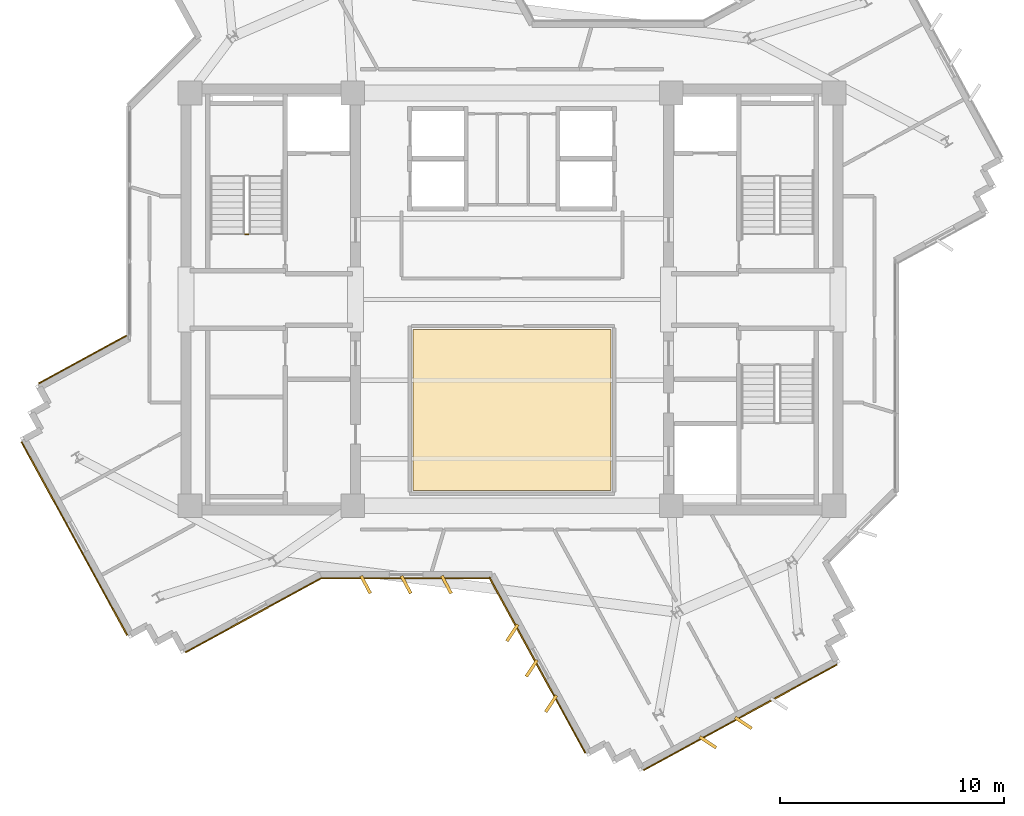
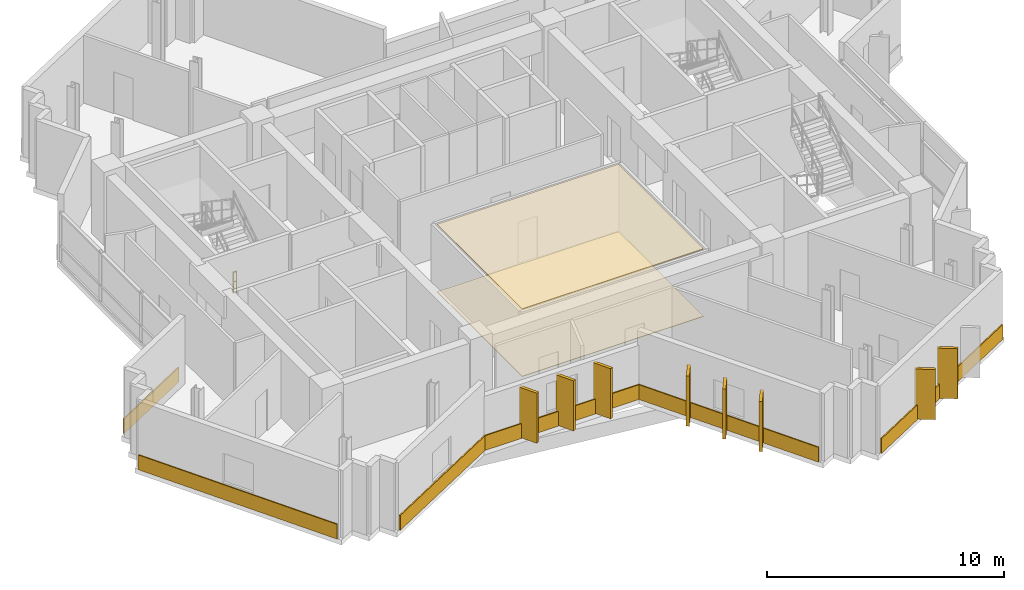
# One storey, part 10 of 13: 16 coverings, 1 railing.
"""IFC4 building model written with IfcOpenShell, lengths in metres."""

from ifc_helpers import new_model, si_unit, direction, frame, origin, origin_2d, place, context, subcontext, project, spatial, polyline, rectangle, outline, extrude, source, transform, mapped, material, layer, layer_set, type_object, element, save


model = new_model("IFC4")

# Units and contexts
model_context = context("Model", 3, precision=1e-05, world=origin(), true_north=direction((0.0, 1.0)))
body_context = subcontext(model_context, "Body", "Model", "MODEL_VIEW")
ifc_project = project(units=[si_unit("LENGTHUNIT", "METRE"), si_unit("AREAUNIT", "SQUARE_METRE"), si_unit("VOLUMEUNIT", "CUBIC_METRE"), si_unit("PLANEANGLEUNIT", "RADIAN"), si_unit("MASSUNIT", "GRAM", prefix="KILO")], contexts=[model_context])

# Site, building, storey
site_placement = place(None, origin())
site = spatial("IfcSite", under=ifc_project, at=site_placement, CompositionType="ELEMENT")
building_placement = place(site_placement, origin())
building = spatial("IfcBuilding", under=site, at=building_placement, Name="Zahravan Cultural Tower", CompositionType="ELEMENT")
storey_placement = place(building_placement, frame((0.0, 0.0, 257.85009765625)))
storey = spatial("IfcBuildingStorey", under=building, at=storey_placement, Name="L61", CompositionType="ELEMENT", Elevation=257.85009765625)

# Coverings
ifc_material_1 = material(Name="Acoustic mineral fibreboard")
ifc_layer_1 = layer(ifc_material_1, 0.0400390625)
ifc_layer_set_1 = layer_set([ifc_layer_1], Name="Acoustic mineral fibreboard")
covering_type_1 = type_object("IfcCoveringType", Name="COV-CEIL-AC20", PredefinedType="CEILING", material=ifc_layer_set_1)
covering_1_placement = place(storey_placement, frame((0.0, 0.0, 3.4599609375)))
element("IfcCovering", 1, at=covering_1_placement, inside=storey, type_object=covering_type_1, Name="L61 Acoustic Suspended Ceiling", PredefinedType="CEILING", context=body_context, shape_type="SweptSolid", body=[
    extrude(outline(polyline([(40.419921875, 25.669921875), (31.580078125, 25.669921875), (31.580078125, 18.47998046875), (40.419921875, 18.47998046875), (40.419921875, 25.669921875)])), origin(), (0.0, 0.0, 1.0), 0.0400390625),
])
ifc_material_2 = material(Name="Terrazzo flooring")
ifc_layer_2 = layer(ifc_material_2, 0.02490234375)
ifc_layer_set_2 = layer_set([ifc_layer_2], Name="Terrazzo flooring")
covering_type_2 = type_object("IfcCoveringType", Name="COV-FLR-TZ25", PredefinedType="FLOORING", material=ifc_layer_set_2)
covering_2_placement = place(storey_placement, origin())
element("IfcCovering", 2, at=covering_2_placement, inside=storey, type_object=covering_type_2, Name="L61 Polished Terrazzo Flooring", PredefinedType="FLOORING", context=body_context, shape_type="SweptSolid", body=[
    extrude(outline(polyline([(40.419921875, 25.669921875), (31.580078125, 25.669921875), (31.580078125, 18.47998046875), (40.419921875, 18.47998046875), (40.419921875, 25.669921875)])), origin(), (0.0, 0.0, 1.0), 0.02490234375),
])

# Railing
ifc_material_3 = material(Name="Steel ASTM A572 Grade 50", Category="steel")
railing_type = type_object("IfcRailingType", Name="RL-STAIR-GRD1150", PredefinedType="BALUSTRADE", material=ifc_material_3)
railing_placement = place(storey_placement, frame((24.25, 29.89990234375, 0.0)))
element("IfcRailing", 3, at=railing_placement, inside=storey, type_object=railing_type, Name="L61 ST-W1 stair guard 4", PredefinedType="BALUSTRADE", context=body_context, shape_type="SweptSolid", body=[
    extrude(rectangle(XDim=0.05, YDim=0.05, at=origin_2d()), frame((0.0, 0.0, 1.0751953125), z_axis=(-1.0, 0.0, 0.0), x_axis=(0.0, -1.0, 0.0)), (0.0, 0.0, 1.0), 0.14990234375),
    extrude(rectangle(XDim=0.032, YDim=0.032, at=origin_2d()), frame((0.0, 0.0, 0.572021484375), z_axis=(-1.0, 0.0, 0.0), x_axis=(0.0, -1.0, 0.0)), (0.0, 0.0, 1.0), 0.14990234375),
    extrude(rectangle(XDim=0.04, YDim=0.04, at=origin_2d()), origin(), (0.0, 0.0, 1.0), 1.10009765625),
    extrude(rectangle(XDim=0.04, YDim=0.04, at=origin_2d()), frame((-0.14990234375, 0.0, 0.0)), (0.0, 0.0, 1.0), 1.10009765625),
])

# Coverings
ifc_material_4 = material(Name="Terracotta ceramic cladding", Category="masonry")
ifc_layer_3 = layer(ifc_material_4, 0.06005859375)
ifc_layer_set_3 = layer_set([ifc_layer_3], Name="Terracotta ceramic cladding")
covering_type_3 = type_object("IfcCoveringType", Name="COV-CLAD-TC60", PredefinedType="CLADDING", material=ifc_layer_set_3)
shared_shape_1 = source(origin(), body_context, "Body", "SweptSolid", [
    extrude(rectangle(XDim=9.820068359375, YDim=0.06005859375, at=origin_2d()), origin(), (0.0, 0.0, 1.0), 0.760009765625),
])
for number, where, z_axis, x_axis, name in (
    (4, (46.176513671875, 8.373779296875, 0.02001953125), (0.0, 0.0, 1.0), (-0.877564903719, -0.479457860256, 0.0), "L61 Terracotta Spandrel Cladding 18"),
    (5, (16.49609375, 16.343994140625, 0.02001953125), (0.0, 0.0, 1.0), (-0.479457860256, 0.877564903719, 0.0), "L61 Terracotta Spandrel Cladding 30"),
):
    element("IfcCovering", number, at=place(storey_placement, frame(where, z_axis=z_axis, x_axis=x_axis)), inside=storey, type_object=covering_type_3, Name=name, PredefinedType="CLADDING", context=body_context, shape_type="MappedRepresentation", body=[
        mapped(shared_shape_1, transform((0.0, 0.0, 0.0), x_axis=(1.0, 0.0, 0.0), y_axis=(0.0, 1.0, 0.0), z_axis=(0.0, 0.0, 1.0), scale=1.0)),
    ])
shared_shape_2 = source(origin(), body_context, "Body", "SweptSolid", [
    extrude(rectangle(XDim=0.8798828125, YDim=0.139892578125, at=origin_2d()), origin(), (0.0, 0.0, 1.0), 2.580078125),
])
for number, where, z_axis, x_axis, name in (
    (6, (46.31298828125, 8.12353515625, 0.0498046875), (0.0, 0.0, 1.0), (0.835327930385, -0.549751988372, 0.0), "L61 Herringbone Terracotta Fin 10"),
    (7, (44.7333984375, 7.260498046875, 0.0498046875), (0.0, 0.0, 1.0), (0.835327930385, -0.549751988372, 0.0), "L61 Herringbone Terracotta Fin 11"),
    (8, (37.741455078125, 8.983154296875, 0.0498046875), (0.0, 0.0, 1.0), (-0.549751988372, -0.835327930385, 0.0), "L61 Herringbone Terracotta Fin 12"),
    (9, (36.87841796875, 10.562744140625, 0.0498046875), (0.0, 0.0, 1.0), (-0.549751988372, -0.835327930385, 0.0), "L61 Herringbone Terracotta Fin 13"),
    (10, (36.015380859375, 12.142578125, 0.0498046875), (0.0, 0.0, 1.0), (-0.549751988372, -0.835327930385, 0.0), "L61 Herringbone Terracotta Fin 14"),
    (11, (33.079833984375, 14.2900390625, 0.0498046875), (0.0, 0.0, 1.0), (0.469471562786, -0.882947592859, 0.0), "L61 Herringbone Terracotta Fin 15"),
    (12, (31.27978515625, 14.2900390625, 0.0498046875), (0.0, 0.0, 1.0), (0.469471562786, -0.882947592859, 0.0), "L61 Herringbone Terracotta Fin 16"),
    (13, (29.47998046875, 14.2900390625, 0.0498046875), (0.0, 0.0, 1.0), (0.469471562786, -0.882947592859, 0.0), "L61 Herringbone Terracotta Fin 17"),
):
    element("IfcCovering", number, at=place(storey_placement, frame(where, z_axis=z_axis, x_axis=x_axis)), inside=storey, type_object=covering_type_3, Name=name, PredefinedType="CLADDING", context=body_context, shape_type="MappedRepresentation", body=[
        mapped(shared_shape_2, transform((0.0, 0.0, 0.0), x_axis=(1.0, 0.0, 0.0), y_axis=(0.0, 1.0, 0.0), z_axis=(0.0, 0.0, 1.0), scale=1.0)),
    ])
shared_shape_3 = source(origin(), body_context, "Body", "SweptSolid", [
    extrude(rectangle(XDim=6.87939453125, YDim=0.06005859375, at=origin_2d()), origin(), (0.0, 0.0, 1.0), 0.760009765625),
])
covering_3_placement = place(storey_placement, frame((24.467529296875, 12.922119140625, 0.02001953125), z_axis=(0.0, 0.0, 1.0), x_axis=(-0.877564903719, -0.479457860256, 0.0)))
element("IfcCovering", 14, at=covering_3_placement, inside=storey, type_object=covering_type_3, Name="L61 Terracotta Spandrel Cladding 25", PredefinedType="CLADDING", context=body_context, shape_type="MappedRepresentation", body=[
    mapped(shared_shape_3, transform((0.0, 0.0, 0.0), x_axis=(1.0, 0.0, 0.0), y_axis=(0.0, 1.0, 0.0), z_axis=(0.0, 0.0, 1.0), scale=1.0)),
])
shared_shape_4 = source(origin(), body_context, "Body", "SweptSolid", [
    extrude(rectangle(XDim=4.45849609375, YDim=0.06005859375, at=origin_2d()), origin(), (0.0, 0.0, 1.0), 0.760009765625),
])
covering_4_placement = place(storey_placement, frame((16.860595703125, 24.320556640625, 0.02001953125), z_axis=(0.0, 0.0, 1.0), x_axis=(0.877564903719, 0.479457860256, 0.0)))
element("IfcCovering", 15, at=covering_4_placement, inside=storey, type_object=covering_type_3, Name="L61 Terracotta Spandrel Cladding 35", PredefinedType="CLADDING", context=body_context, shape_type="MappedRepresentation", body=[
    mapped(shared_shape_4, transform((0.0, 0.0, 0.0), x_axis=(1.0, 0.0, 0.0), y_axis=(0.0, 1.0, 0.0), z_axis=(0.0, 0.0, 1.0), scale=1.0)),
])
shared_shape_5 = source(origin(), body_context, "Body", "SweptSolid", [
    extrude(rectangle(XDim=8.92822265625, YDim=0.06005859375, at=origin_2d()), origin(), (0.0, 0.0, 1.0), 0.760009765625),
])
covering_5_placement = place(storey_placement, frame((37.128662109375, 10.699462890625, 0.02001953125), z_axis=(0.0, 0.0, 1.0), x_axis=(-0.479457860256, 0.877564903719, 0.0)))
element("IfcCovering", 16, at=covering_5_placement, inside=storey, type_object=covering_type_3, Name="L61 Terracotta Spandrel Cladding 23", PredefinedType="CLADDING", context=body_context, shape_type="MappedRepresentation", body=[
    mapped(shared_shape_5, transform((0.0, 0.0, 0.0), x_axis=(1.0, 0.0, 0.0), y_axis=(0.0, 1.0, 0.0), z_axis=(0.0, 0.0, 1.0), scale=1.0)),
])
shared_shape_6 = source(origin(), body_context, "Body", "SweptSolid", [
    extrude(rectangle(XDim=7.55810546875, YDim=0.06005859375, at=origin_2d()), origin(), (0.0, 0.0, 1.0), 0.760009765625),
])
covering_6_placement = place(storey_placement, frame((31.27978515625, 14.574951171875, 0.02001953125), z_axis=(0.0, 0.0, 1.0), x_axis=(-1.0, 0.0, 0.0)))
element("IfcCovering", 17, at=covering_6_placement, inside=storey, type_object=covering_type_3, Name="L61 Terracotta Spandrel Cladding 24", PredefinedType="CLADDING", context=body_context, shape_type="MappedRepresentation", body=[
    mapped(shared_shape_6, transform((0.0, 0.0, 0.0), x_axis=(1.0, 0.0, 0.0), y_axis=(0.0, 1.0, 0.0), z_axis=(0.0, 0.0, 1.0), scale=1.0)),
])

save(model, "model.ifc")
